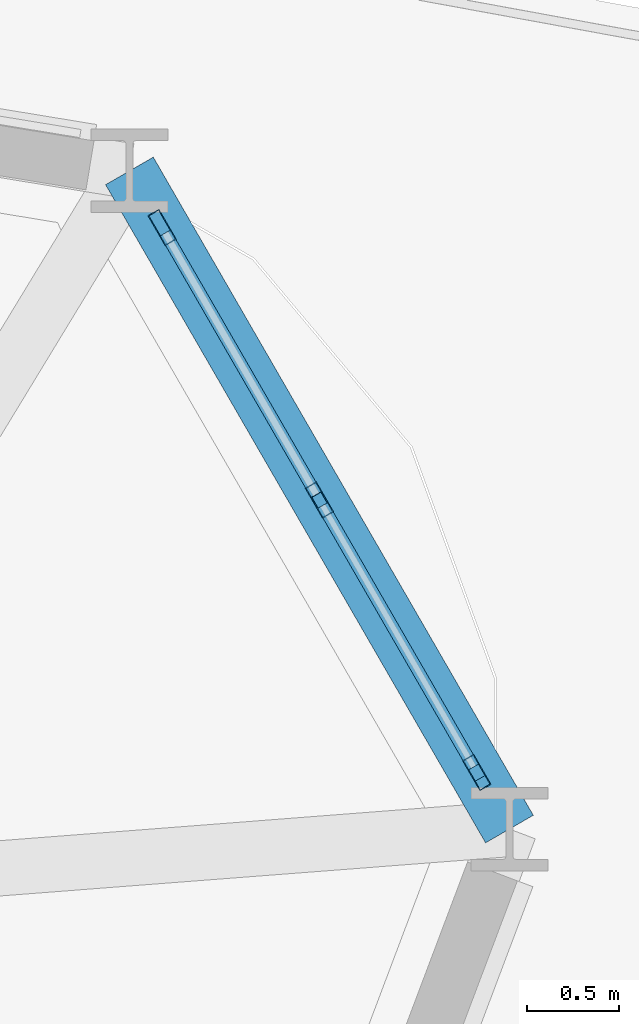
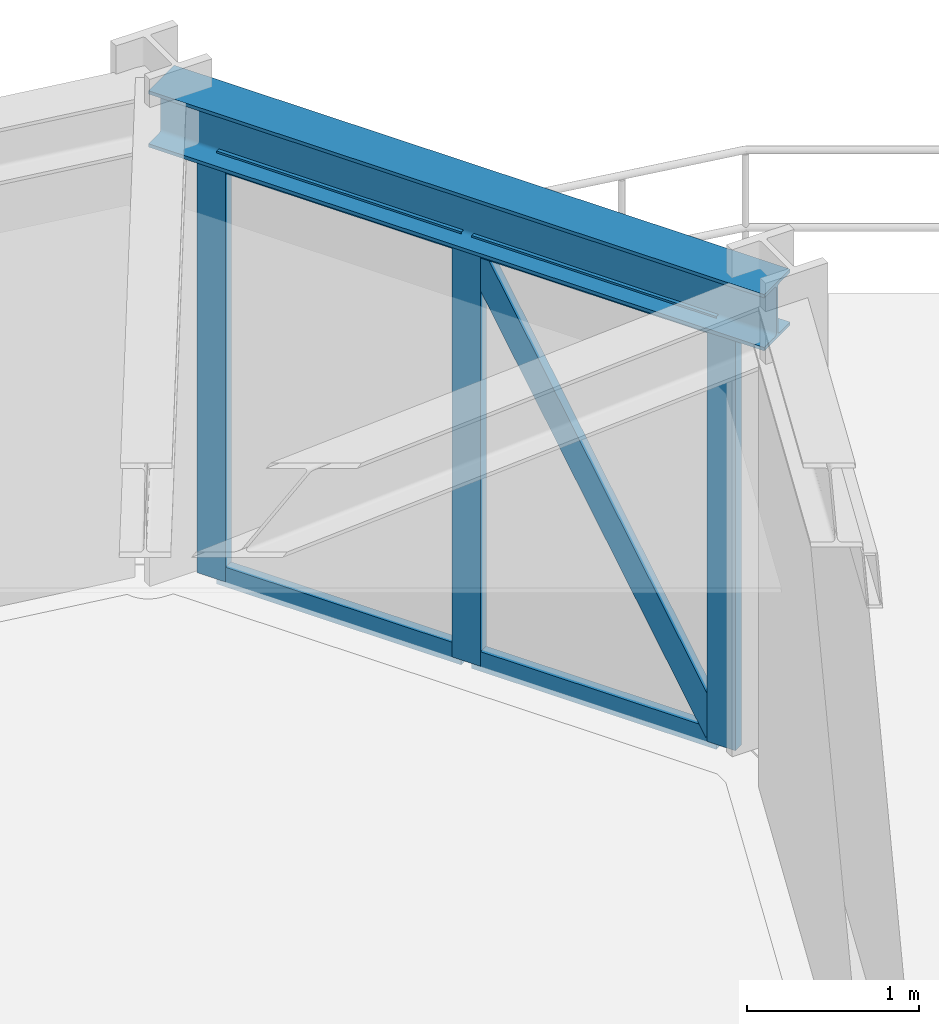
# One storey, part 15 of 23: 8 members, 1 beam, 1 element without a shape of its own.
"""IFC4 building model written with IfcOpenShell, lengths in metres."""

from ifc_helpers import new_model, si_unit, derived_unit, direction, frame, origin, origin_2d, place, context, subcontext, project, spatial, hollow_rectangle, i_section, extrude, source, transform, mapped, material, layer, layer_set, material_profile, profile_set, type_object, element, aggregate, save


model = new_model("IFC4")

# Units and contexts
model_context = context("Model", 3, precision=1e-05, world=origin(), true_north=direction((0.0, 1.0)))
body_context = subcontext(model_context, "Body", "Model", "MODEL_VIEW")
ifc_project = project(units=[si_unit("LENGTHUNIT", "METRE"), si_unit("AREAUNIT", "SQUARE_METRE"), si_unit("VOLUMEUNIT", "CUBIC_METRE"), si_unit("PLANEANGLEUNIT", "RADIAN"), si_unit("MASSUNIT", "GRAM", prefix="KILO"), derived_unit("THERMALTRANSMITTANCEUNIT", [(si_unit("POWERUNIT", "WATT"), 1), (si_unit("LENGTHUNIT", "METRE"), -2), (si_unit("THERMODYNAMICTEMPERATUREUNIT", "KELVIN"), -1)])], contexts=[model_context])

# Site, building, storey
site_placement = place(None, origin())
site = spatial("IfcSite", under=ifc_project, at=site_placement, CompositionType="ELEMENT")
building_placement = place(site_placement, origin())
building = spatial("IfcBuilding", under=site, at=building_placement, Name="Korsvarv Bourse and Concert Hall", CompositionType="ELEMENT")
storey_placement = place(building_placement, frame((0.0, 0.0, 99.0)))
storey = spatial("IfcBuildingStorey", under=building, at=storey_placement, Name="L24", CompositionType="ELEMENT", Elevation=99.0)

# Beam
ifc_material_1 = material(Name="Steel S355", Category="steel")
ifc_material_profile_1 = material_profile(ifc_material_1, i_section(OverallWidth=0.300048828125, OverallDepth=0.39990234375, WebThickness=0.013427734375, FlangeThickness=0.02392578125, FilletRadius=0.02099609375, at=origin_2d()), Name="HEB 400")
ifc_profile_set_1 = profile_set([ifc_material_profile_1], Name="Steel S355")
beam_type = type_object("IfcBeamType", Name="BM-HEB400", PredefinedType="SPANDREL", material=ifc_profile_set_1)
shared_shape_1 = source(origin(), body_context, "Body", "SweptSolid", [
    extrude(i_section(OverallWidth=0.300048828125, OverallDepth=0.39990234375, WebThickness=0.013427734375, FlangeThickness=0.02392578125, FilletRadius=0.02099609375, at=origin_2d()), origin(), (0.0, 0.0, 1.0), 4.136962890625),
])
beam_placement = place(storey_placement, frame((61.851318359375, 48.536865234375, 3.199951171875), z_axis=(-0.500042586076, 0.866000815306, 0.0), x_axis=(-0.866000815306, -0.500042586076, 0.0)))
element("IfcBeam", 1, at=beam_placement, inside=storey, type_object=beam_type, Name="L24 beam B-09", PredefinedType="SPANDREL", context=body_context, shape_type="MappedRepresentation", body=[
    mapped(shared_shape_1, transform((0.0, 0.0, 0.0), scale=1.0)),
])

# Curtain wall, members
ifc_material_2 = material(Name="Anodised aluminium and triple low-E glazing", Category="glass")
ifc_layer = layer(ifc_material_2, 0.2099609375)
ifc_layer_set = layer_set([ifc_layer], Name="Anodised aluminium and triple low-E glazing")
curtain_wall_type = type_object("IfcCurtainWallType", Name="CW-SYS-2", PredefinedType="NOTDEFINED", material=ifc_layer_set)
curtain_wall_placement = place(storey_placement, origin())
curtain_wall = element("IfcCurtainWall", 2, at=curtain_wall_placement, inside=storey, type_object=curtain_wall_type, Name="L24 CW2 curtain wall CW-L24-F01", PredefinedType="NOTDEFINED")
ifc_material_3 = material(Name="Extruded aluminium EN AW-6063 T66", Category="aluminium")
ifc_material_profile_2 = material_profile(ifc_material_3, hollow_rectangle(XDim=0.070068359375, YDim=0.18994140625, WallThickness=0.0048828125, at=origin_2d()), Name="ALU-M 70x190")
ifc_profile_set_2 = profile_set([ifc_material_profile_2], Name="Extruded aluminium EN AW-6063 T66")
member_type_1 = type_object("IfcMemberType", Name="CWM-190", PredefinedType="MULLION", material=ifc_profile_set_2)
shared_shape_2 = source(origin(), body_context, "Body", "SweptSolid", [
    extrude(hollow_rectangle(XDim=0.070068359375, YDim=0.18994140625, WallThickness=0.0048828125, at=origin_2d()), origin(), (0.0, 0.0, 1.0), 3.0),
])
member_1_placement = place(storey_placement, frame((61.673583984375, 48.8447265625, 0.0), z_axis=(0.0, 0.0, 1.0), x_axis=(-0.866023629477, -0.500003073178, 0.0)))
member_1 = element("IfcMember", 3, at=member_1_placement, type_object=member_type_1, Name="CW2 mullion 1", PredefinedType="MULLION", context=body_context, shape_type="MappedRepresentation", body=[
    mapped(shared_shape_2, transform((0.0, 0.0, 0.0), scale=1.0)),
])
member_2_placement = place(storey_placement, frame((60.81689453125, 50.328125, 0.0), z_axis=(0.0, 0.0, 1.0), x_axis=(-0.866023629477, -0.500003073178, 0.0)))
member_2 = element("IfcMember", 4, at=member_2_placement, type_object=member_type_1, Name="CW2 mullion 2", PredefinedType="MULLION", context=body_context, shape_type="MappedRepresentation", body=[
    mapped(shared_shape_2, transform((0.0, 0.0, 0.0), scale=1.0)),
])
member_3_placement = place(storey_placement, frame((59.96044921875, 51.8115234375, 0.0), z_axis=(0.0, 0.0, 1.0), x_axis=(-0.866023629477, -0.500003073178, 0.0)))
member_3 = element("IfcMember", 5, at=member_3_placement, type_object=member_type_1, Name="CW2 mullion 3", PredefinedType="MULLION", context=body_context, shape_type="MappedRepresentation", body=[
    mapped(shared_shape_2, transform((0.0, 0.0, 0.0), scale=1.0)),
])
ifc_material_profile_3 = material_profile(ifc_material_3, hollow_rectangle(XDim=0.06494140625, YDim=0.139892578125, WallThickness=0.00390625, at=origin_2d()), Name="ALU-T 65x140")
ifc_profile_set_3 = profile_set([ifc_material_profile_3], Name="Extruded aluminium EN AW-6063 T66")
member_type_2 = type_object("IfcMemberType", Name="CWT-140", PredefinedType="USERDEFINED", material=ifc_profile_set_3)
shared_shape_3 = source(origin(), body_context, "Body", "SweptSolid", [
    extrude(hollow_rectangle(XDim=0.06494140625, YDim=0.139892578125, WallThickness=0.00390625, at=origin_2d()), origin(), (0.0, 0.0, 1.0), 1.64306640625),
])
member_4_placement = place(storey_placement, frame((61.656005859375, 48.875, 0.032470703125), z_axis=(-0.500022582332, 0.866012365477, 0.0), x_axis=(-0.866012365477, -0.500022582332, 0.0)))
member_4 = element("IfcMember", 6, at=member_4_placement, type_object=member_type_2, Name="CW2 transom 1.1", ObjectType="TRANSOM", PredefinedType="USERDEFINED", context=body_context, shape_type="MappedRepresentation", body=[
    mapped(shared_shape_3, transform((0.0, 0.0, 0.0), scale=1.0)),
])
member_5_placement = place(storey_placement, frame((61.656005859375, 48.875, 2.967529296875), z_axis=(-0.500022582332, 0.866012365477, 0.0), x_axis=(-0.866012365477, -0.500022582332, 0.0)))
member_5 = element("IfcMember", 7, at=member_5_placement, type_object=member_type_2, Name="CW2 transom 1.2", ObjectType="TRANSOM", PredefinedType="USERDEFINED", context=body_context, shape_type="MappedRepresentation", body=[
    mapped(shared_shape_3, transform((0.0, 0.0, 0.0), scale=1.0)),
])
member_6_placement = place(storey_placement, frame((60.799560546875, 50.3583984375, 0.032470703125), z_axis=(-0.500022582332, 0.866012365477, 0.0), x_axis=(-0.866012365477, -0.500022582332, 0.0)))
member_6 = element("IfcMember", 8, at=member_6_placement, type_object=member_type_2, Name="CW2 transom 2.1", ObjectType="TRANSOM", PredefinedType="USERDEFINED", context=body_context, shape_type="MappedRepresentation", body=[
    mapped(shared_shape_3, transform((0.0, 0.0, 0.0), scale=1.0)),
])
member_7_placement = place(storey_placement, frame((60.799560546875, 50.3583984375, 2.967529296875), z_axis=(-0.500022582332, 0.866012365477, 0.0), x_axis=(-0.866012365477, -0.500022582332, 0.0)))
member_7 = element("IfcMember", 9, at=member_7_placement, type_object=member_type_2, Name="CW2 transom 2.2", ObjectType="TRANSOM", PredefinedType="USERDEFINED", context=body_context, shape_type="MappedRepresentation", body=[
    mapped(shared_shape_3, transform((0.0, 0.0, 0.0), scale=1.0)),
])
ifc_material_profile_4 = material_profile(ifc_material_3, hollow_rectangle(XDim=0.06494140625, YDim=0.1650390625, WallThickness=0.0048828125, at=origin_2d()), Name="ALU-M 65x165")
ifc_profile_set_4 = profile_set([ifc_material_profile_4], Name="Extruded aluminium EN AW-6063 T66")
member_type_3 = type_object("IfcMemberType", Name="CWM-165", PredefinedType="MULLION", material=ifc_profile_set_4)
shared_shape_4 = source(origin(), body_context, "Body", "SweptSolid", [
    extrude(hollow_rectangle(XDim=0.06494140625, YDim=0.1650390625, WallThickness=0.0048828125, at=origin_2d()), origin(), (0.0, 0.0, 1.0), 3.30712890625),
])
member_8_placement = place(storey_placement, frame((61.656005859375, 48.875, 0.06494140625), z_axis=(-0.248414014383, 0.430239784791, 0.867861858271), x_axis=(-0.866012365477, -0.500022582332, 0.0)))
member_8 = element("IfcMember", 10, at=member_8_placement, type_object=member_type_3, Name="CW2 diagonal mullion 1", PredefinedType="MULLION", context=body_context, shape_type="MappedRepresentation", body=[
    mapped(shared_shape_4, transform((0.0, 0.0, 0.0), scale=1.0)),
])
aggregate(curtain_wall, [member_1, member_2, member_3, member_4, member_5, member_8, member_6, member_7])

save(model, "model.ifc")
